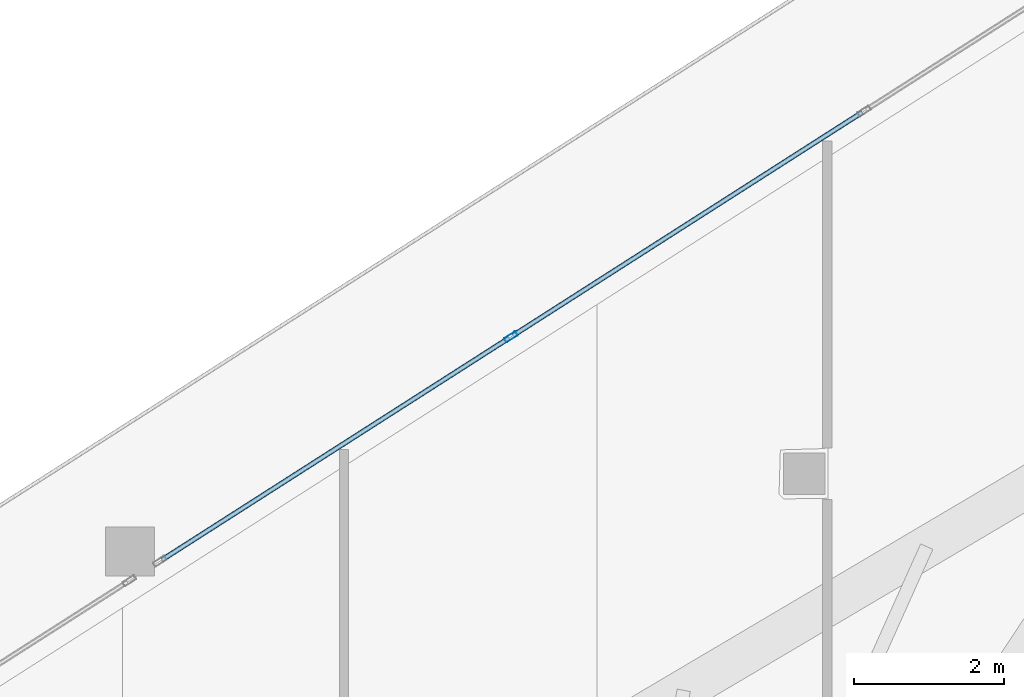
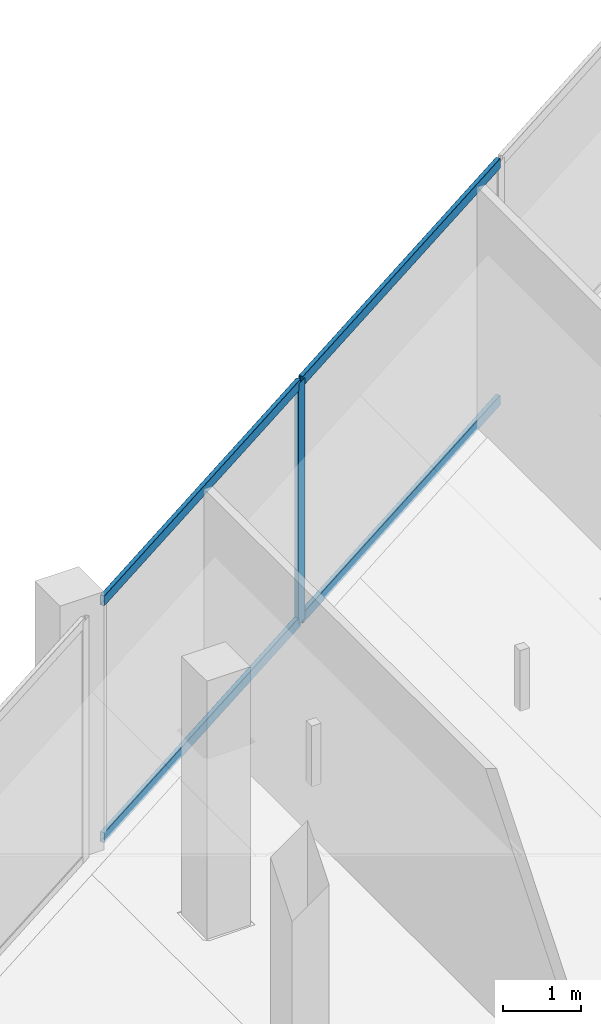
# One storey, part 18 of 37: 5 members, 1 element without a shape of its own.
"""IFC4 building model written with IfcOpenShell, lengths in metres."""

from ifc_helpers import new_model, si_unit, direction, frame, origin, origin_2d, place, context, subcontext, project, spatial, hollow_rectangle, extrude, material, layer, layer_set, material_profile, profile_set, type_object, element, aggregate, save


model = new_model("IFC4")

# Units and contexts
model_context = context("Model", 3, precision=1e-05, world=origin(), true_north=direction((0.0, 1.0)))
body_context = subcontext(model_context, "Body", "Model", "MODEL_VIEW")
ifc_project = project(units=[si_unit("LENGTHUNIT", "METRE"), si_unit("AREAUNIT", "SQUARE_METRE"), si_unit("VOLUMEUNIT", "CUBIC_METRE"), si_unit("PLANEANGLEUNIT", "RADIAN"), si_unit("MASSUNIT", "GRAM", prefix="KILO")], contexts=[model_context])

# Site, building, storey
site_placement = place(None, origin())
site = spatial("IfcSite", under=ifc_project, at=site_placement, CompositionType="ELEMENT")
building_placement = place(site_placement, origin())
building = spatial("IfcBuilding", under=site, at=building_placement, Name="Qorvath Tower", CompositionType="ELEMENT")
storey_placement = place(building_placement, frame((0.0, 0.0, 188.85009765625)))
storey = spatial("IfcBuildingStorey", under=building, at=storey_placement, Name="L43", CompositionType="ELEMENT", Elevation=188.85009765625)

# Curtain wall, members
ifc_material_1 = material(Name="Anodised aluminium and triple low-E glass", Category="aluminium")
ifc_layer = layer(ifc_material_1, 0.179931640625)
ifc_layer_set = layer_set([ifc_layer], Name="CW-SYS-3")
curtain_wall_type = type_object("IfcCurtainWallType", Name="CW-SYS-3", PredefinedType="NOTDEFINED", material=ifc_layer_set)
curtain_wall_placement = place(storey_placement, origin())
curtain_wall = element("IfcCurtainWall", 1, at=curtain_wall_placement, inside=storey, type_object=curtain_wall_type, Name="Curtain Wall CW-3 CW-T-L43-16.1", PredefinedType="NOTDEFINED")
ifc_material_2 = material(Name="Anodised aluminium 6063-T6", Category="aluminium")
ifc_material_profile_1 = material_profile(ifc_material_2, hollow_rectangle(XDim=0.06494140625, YDim=0.179931640625, WallThickness=0.00341796875, InnerFilletRadius=0.00341796875, OuterFilletRadius=0.007080078125, at=origin_2d()), Name="CWM 180x65")
ifc_profile_set_1 = profile_set([ifc_material_profile_1], Name="Anodised aluminium 6063-T6")
member_type_1 = type_object("IfcMemberType", Name="CWM-180", PredefinedType="MULLION", material=ifc_profile_set_1)
member_1_placement = place(storey_placement, frame((-25.951171875, 22.315185546875, 0.0), z_axis=(0.0, 0.0, 1.0), x_axis=(0.538531234683, -0.842605547852, 0.0)))
member_1 = element("IfcMember", 2, at=member_1_placement, type_object=member_type_1, Name="CW-3 mullion 3", PredefinedType="MULLION", context=body_context, shape_type="SweptSolid", body=[
    extrude(hollow_rectangle(XDim=0.06494140625, YDim=0.179931640625, WallThickness=0.00341796875, InnerFilletRadius=0.00341796875, OuterFilletRadius=0.007080078125, at=origin_2d()), origin(), (0.0, 0.0, 1.0), 3.77978515625),
])
ifc_material_3 = material(Name="Anodised aluminium 6063-T6", Category="aluminium")
ifc_material_profile_2 = material_profile(ifc_material_3, hollow_rectangle(XDim=0.06494140625, YDim=0.159912109375, WallThickness=0.00341796875, InnerFilletRadius=0.00341796875, OuterFilletRadius=0.007080078125, at=origin_2d()), Name="CWT 160x65")
ifc_profile_set_2 = profile_set([ifc_material_profile_2], Name="Anodised aluminium 6063-T6")
member_type_2 = type_object("IfcMemberType", Name="CWT-160", PredefinedType="USERDEFINED", material=ifc_profile_set_2)
member_2_placement = place(storey_placement, frame((-21.28369140625, 25.29833984375, 0.032470703125), z_axis=(-0.842590087519, -0.538555423718, 0.0), x_axis=(0.538555423718, -0.842590087519, 0.0)))
member_2 = element("IfcMember", 3, at=member_2_placement, type_object=member_type_2, Name="CW-3 transom 2.1", ObjectType="TRANSOM", PredefinedType="USERDEFINED", context=body_context, shape_type="SweptSolid", body=[
    extrude(hollow_rectangle(XDim=0.06494140625, YDim=0.159912109375, WallThickness=0.00341796875, InnerFilletRadius=0.00341796875, OuterFilletRadius=0.007080078125, at=origin_2d()), origin(), (0.0, 0.0, 1.0), 5.507080078125),
])
member_3_placement = place(storey_placement, frame((-21.28369140625, 25.29833984375, 3.747314453125), z_axis=(-0.842590087519, -0.538555423718, 0.0), x_axis=(0.538555423718, -0.842590087519, 0.0)))
member_3 = element("IfcMember", 4, at=member_3_placement, type_object=member_type_2, Name="CW-3 transom 2.2", ObjectType="TRANSOM", PredefinedType="USERDEFINED", context=body_context, shape_type="SweptSolid", body=[
    extrude(hollow_rectangle(XDim=0.06494140625, YDim=0.159912109375, WallThickness=0.00341796875, InnerFilletRadius=0.00341796875, OuterFilletRadius=0.007080078125, at=origin_2d()), origin(), (0.0, 0.0, 1.0), 5.507080078125),
])
member_4_placement = place(storey_placement, frame((-25.978515625, 22.297607421875, 0.032470703125), z_axis=(-0.842618688669, -0.53851067353, 0.0), x_axis=(0.53851067353, -0.842618688669, 0.0)))
member_4 = element("IfcMember", 5, at=member_4_placement, type_object=member_type_2, Name="CW-3 transom 3.1", ObjectType="TRANSOM", PredefinedType="USERDEFINED", context=body_context, shape_type="SweptSolid", body=[
    extrude(hollow_rectangle(XDim=0.06494140625, YDim=0.159912109375, WallThickness=0.00341796875, InnerFilletRadius=0.00341796875, OuterFilletRadius=0.007080078125, at=origin_2d()), origin(), (0.0, 0.0, 1.0), 5.474365234375),
])
member_5_placement = place(storey_placement, frame((-25.978515625, 22.297607421875, 3.747314453125), z_axis=(-0.842618688669, -0.53851067353, 0.0), x_axis=(0.53851067353, -0.842618688669, 0.0)))
member_5 = element("IfcMember", 6, at=member_5_placement, type_object=member_type_2, Name="CW-3 transom 3.2", ObjectType="TRANSOM", PredefinedType="USERDEFINED", context=body_context, shape_type="SweptSolid", body=[
    extrude(hollow_rectangle(XDim=0.06494140625, YDim=0.159912109375, WallThickness=0.00341796875, InnerFilletRadius=0.00341796875, OuterFilletRadius=0.007080078125, at=origin_2d()), origin(), (0.0, 0.0, 1.0), 5.474365234375),
])
aggregate(curtain_wall, [member_1, member_2, member_3, member_4, member_5])

save(model, "model.ifc")
